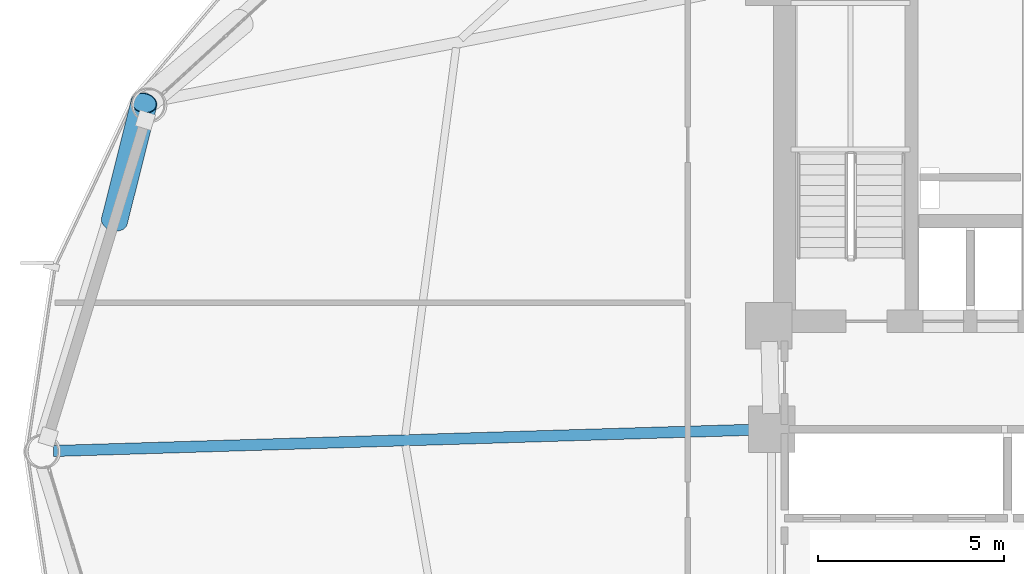
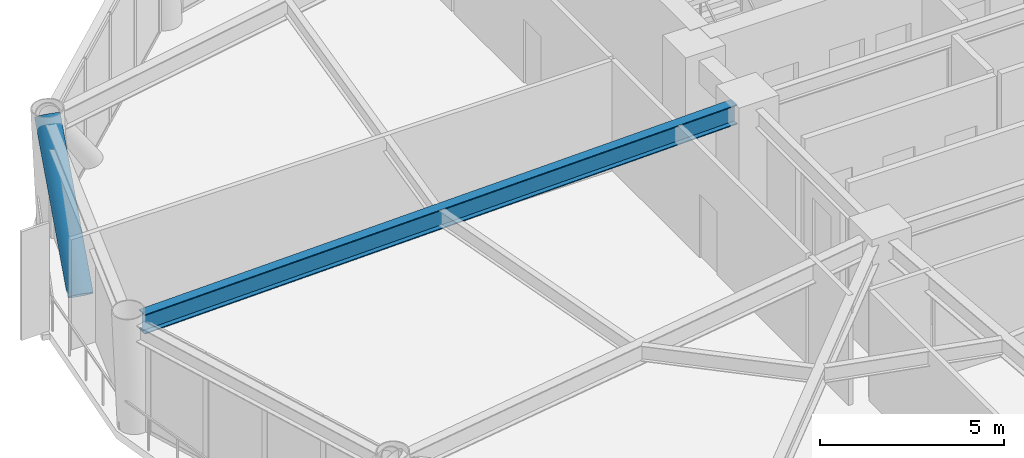
# One storey, part 11 of 25: 1 beam, 1 member.
"""IFC4 building model written with IfcOpenShell, lengths in metres."""

from ifc_helpers import new_model, si_unit, direction, frame, origin, origin_2d, place, context, subcontext, project, spatial, hollow_circle, i_section, extrude, material, material_profile, profile_set, type_object, element, save


model = new_model("IFC4")

# Units and contexts
model_context = context("Model", 3, precision=1e-05, world=origin(), true_north=direction((0.0, 1.0)))
body_context = subcontext(model_context, "Body", "Model", "MODEL_VIEW")
ifc_project = project(units=[si_unit("LENGTHUNIT", "METRE"), si_unit("AREAUNIT", "SQUARE_METRE"), si_unit("VOLUMEUNIT", "CUBIC_METRE"), si_unit("PLANEANGLEUNIT", "RADIAN"), si_unit("MASSUNIT", "GRAM", prefix="KILO")], contexts=[model_context])

# Site, building, storey
site_placement = place(None, origin())
site = spatial("IfcSite", under=ifc_project, at=site_placement, CompositionType="ELEMENT")
building_placement = place(site_placement, origin())
building = spatial("IfcBuilding", under=site, at=building_placement, Name="Varnakorn Sky Granary", CompositionType="ELEMENT")
storey_placement = place(building_placement, frame((0.0, 0.0, 35.39990234375)))
storey = spatial("IfcBuildingStorey", under=building, at=storey_placement, Name="L08", CompositionType="ELEMENT", Elevation=35.39990234375)

# Beam
ifc_material_1 = material(Name="Steel S355JR", Category="steel")
ifc_material_profile_1 = material_profile(ifc_material_1, i_section(OverallWidth=0.300048828125, OverallDepth=0.64990234375, WebThickness=0.01611328125, FlangeThickness=0.031005859375, at=origin_2d()), Name="HE 650 B")
ifc_profile_set_1 = profile_set([ifc_material_profile_1], Name="Steel S355JR")
beam_type = type_object("IfcBeamType", Name="BM-RAD-Z1", PredefinedType="BEAM", material=ifc_profile_set_1)
beam_placement = place(storey_placement, frame((-2.769775390625, 0.58740234375, 3.315185546875), z_axis=(-0.99953891322, -0.030363810019, 0.0), x_axis=(0.030363810019, -0.99953891322, 0.0)))
element("IfcBeam", 1, at=beam_placement, inside=storey, type_object=beam_type, Name="Radial Floor Girder RG07 L08", PredefinedType="BEAM", context=body_context, shape_type="SweptSolid", body=[
    extrude(i_section(OverallWidth=0.300048828125, OverallDepth=0.64990234375, WebThickness=0.01611328125, FlangeThickness=0.031005859375, at=origin_2d()), origin(), (0.0, 0.0, 1.0), 18.9033203125),
])

# Member
ifc_material_2 = material(Name="Steel S460M", Category="steel")
ifc_material_profile_2 = material_profile(ifc_material_2, hollow_circle(Radius=0.35546875, WallThickness=0.02490234375, at=origin_2d()), Name="CHS 711x25")
ifc_profile_set_2 = profile_set([ifc_material_profile_2], Name="Steel S460M")
member_type = type_object("IfcMemberType", Name="MB-DIAG-T0", PredefinedType="BRACE", material=ifc_profile_set_2)
member_placement = place(storey_placement, frame((-20.02197265625, 6.201904296875, -0.1298828125), z_axis=(0.158993905916, 0.63563317525, 0.755441198508), x_axis=(-0.970111748275, 0.242658599392, 0.0)))
element("IfcMember", 2, at=member_placement, inside=storey, type_object=member_type, Name="Perimeter CHS Diagrid Brace DG06 L08", PredefinedType="BRACE", context=body_context, shape_type="SweptSolid", body=[
    extrude(hollow_circle(Radius=0.35546875, WallThickness=0.02490234375, at=origin_2d()), origin(), (0.0, 0.0, 1.0), 4.990478515625),
])

save(model, "model.ifc")
